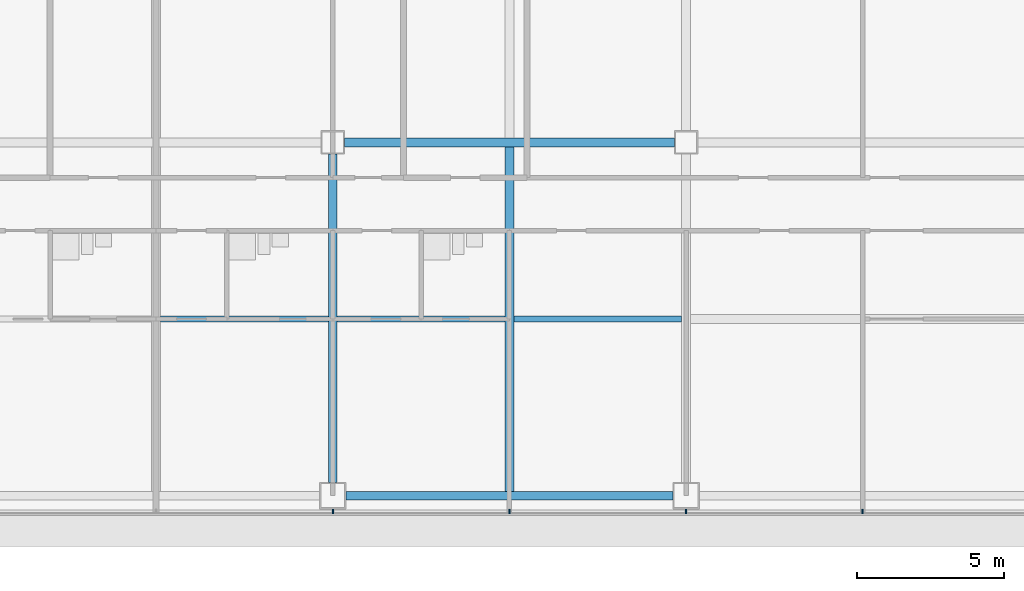
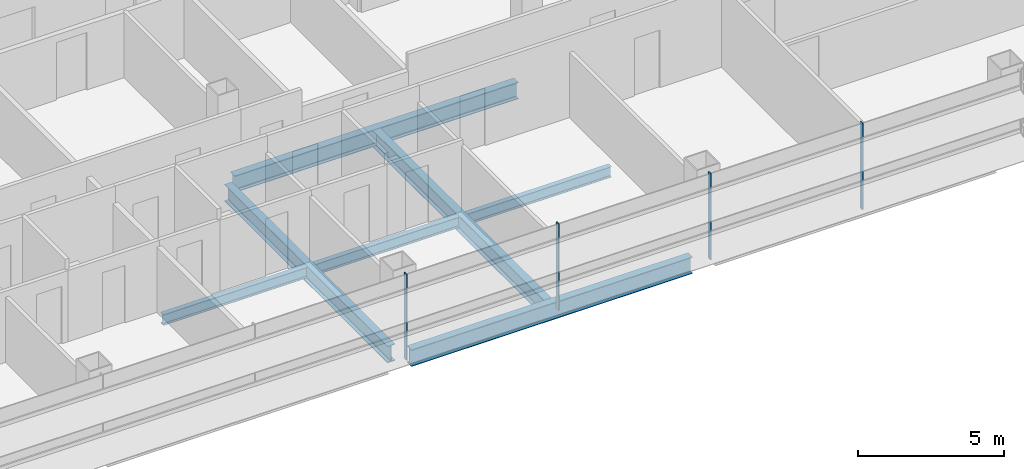
# One storey, part 8 of 26: 7 beams, 4 members, 1 element without a shape of its own.
"""IFC4 building model written with IfcOpenShell, lengths in metres."""

from ifc_helpers import new_model, si_unit, direction, frame, origin, origin_2d, place, context, subcontext, project, spatial, rectangle, i_section, extrude, material, material_profile, profile_set, type_object, element, aggregate, save


model = new_model("IFC4")

# Units and contexts
model_context = context("Model", 3, precision=1e-05, world=origin(), true_north=direction((0.0, 1.0)))
body_context = subcontext(model_context, "Body", "Model", "MODEL_VIEW")
ifc_project = project(units=[si_unit("LENGTHUNIT", "METRE"), si_unit("AREAUNIT", "SQUARE_METRE"), si_unit("VOLUMEUNIT", "CUBIC_METRE"), si_unit("PLANEANGLEUNIT", "RADIAN"), si_unit("MASSUNIT", "GRAM", prefix="KILO")], contexts=[model_context])

# Site, building, storey
site_placement = place(None, origin())
site = spatial("IfcSite", under=ifc_project, at=site_placement, CompositionType="ELEMENT")
building_placement = place(site_placement, origin())
building = spatial("IfcBuilding", under=site, at=building_placement, Name="Sorahane Residences", CompositionType="ELEMENT")
storey_placement = place(building_placement, frame((0.0, 0.0, 64.199951171875)))
storey = spatial("IfcBuildingStorey", under=building, at=storey_placement, Name="L12", CompositionType="ELEMENT", Elevation=64.199951171875)

# Curtain wall, members
ifc_material_1 = material(Name="Dark low-e glass and black anodised aluminium", Category="aluminium")
curtain_wall_type = type_object("IfcCurtainWallType", Name="Curtain wall CW-1 Typical unitised wall", PredefinedType="NOTDEFINED", material=ifc_material_1)
curtain_wall_placement = place(storey_placement, origin())
curtain_wall = element("IfcCurtainWall", 1, at=curtain_wall_placement, inside=storey, type_object=curtain_wall_type, Name="CW-1 curtain wall L12 S1", PredefinedType="NOTDEFINED")
ifc_material_2 = material(Name="Black anodised aluminium", Category="aluminium")
ifc_material_profile_1 = material_profile(ifc_material_2, rectangle(XDim=0.159912109375, YDim=0.050048828125, at=origin_2d()), Name="Curtain wall mullion CW-1 black anodised aluminium 50x160")
ifc_profile_set_1 = profile_set([ifc_material_profile_1], Name="Black anodised aluminium")
member_type = type_object("IfcMemberType", Name="Curtain wall mullion CW-1 black anodised aluminium 50x160", PredefinedType="MULLION", material=ifc_profile_set_1)
member_1_placement = place(storey_placement, frame((36.0, -0.5400390625, -0.179931640625), z_axis=(0.0, 0.0, 1.0), x_axis=(0.0, -1.0, 0.0)))
member_1 = element("IfcMember", 2, at=member_1_placement, type_object=member_type, Name="CW-1 mullion L12 S1.6", PredefinedType="MULLION", context=body_context, shape_type="SweptSolid", body=[
    extrude(rectangle(XDim=0.159912109375, YDim=0.050048828125, at=origin_2d()), origin(), (0.0, 0.0, 1.0), 3.60009765625),
])
member_2_placement = place(storey_placement, frame((42.0, -0.5400390625, -0.179931640625), z_axis=(0.0, 0.0, 1.0), x_axis=(0.0, -1.0, 0.0)))
member_2 = element("IfcMember", 3, at=member_2_placement, type_object=member_type, Name="CW-1 mullion L12 S1.7", PredefinedType="MULLION", context=body_context, shape_type="SweptSolid", body=[
    extrude(rectangle(XDim=0.159912109375, YDim=0.050048828125, at=origin_2d()), origin(), (0.0, 0.0, 1.0), 3.60009765625),
])
member_3_placement = place(storey_placement, frame((48.0, -0.5400390625, -0.179931640625), z_axis=(0.0, 0.0, 1.0), x_axis=(0.0, -1.0, 0.0)))
member_3 = element("IfcMember", 4, at=member_3_placement, type_object=member_type, Name="CW-1 mullion L12 S1.8", PredefinedType="MULLION", context=body_context, shape_type="SweptSolid", body=[
    extrude(rectangle(XDim=0.159912109375, YDim=0.050048828125, at=origin_2d()), origin(), (0.0, 0.0, 1.0), 3.60009765625),
])
member_4_placement = place(storey_placement, frame((54.0, -0.5400390625, -0.179931640625), z_axis=(0.0, 0.0, 1.0), x_axis=(0.0, -1.0, 0.0)))
member_4 = element("IfcMember", 5, at=member_4_placement, type_object=member_type, Name="CW-1 mullion L12 S1.9", PredefinedType="MULLION", context=body_context, shape_type="SweptSolid", body=[
    extrude(rectangle(XDim=0.159912109375, YDim=0.050048828125, at=origin_2d()), origin(), (0.0, 0.0, 1.0), 3.60009765625),
])
aggregate(curtain_wall, [member_1, member_2, member_3, member_4])

# Beams
ifc_material_3 = material(Name="Steel Q355B", Category="steel")
ifc_material_profile_2 = material_profile(ifc_material_3, i_section(OverallWidth=0.199951171875, OverallDepth=0.449951171875, WebThickness=0.009033203125, FlangeThickness=0.013916015625, FilletRadius=0.02001953125, at=origin_2d()), Name="HN 450x200x9x14")
ifc_profile_set_2 = profile_set([ifc_material_profile_2], Name="Steel Q355B")
beam_type_1 = type_object("IfcBeamType", Name="Steel floor beam HN 450x200x9x14 Q355B", PredefinedType="BEAM", material=ifc_profile_set_2)
for number, where, z_axis, x_axis, name in (
    (6, (30.14990234375, 6.0, -0.405029296875), (1.0, 0.0, 0.0), (0.0, 1.0, 0.0), "Beam L12 066"),
    (7, (36.14990234375, 6.0, -0.405029296875), (1.0, 0.0, 0.0), (0.0, 1.0, 0.0), "Beam L12 067"),
    (8, (42.14990234375, 6.0, -0.405029296875), (1.0, 0.0, 0.0), (0.0, 1.0, 0.0), "Beam L12 068"),
):
    element("IfcBeam", number, at=place(storey_placement, frame(where, z_axis=z_axis, x_axis=x_axis)), inside=storey, type_object=beam_type_1, Name=name, PredefinedType="BEAM", context=body_context, shape_type="SweptSolid", body=[
        extrude(i_section(OverallWidth=0.199951171875, OverallDepth=0.449951171875, WebThickness=0.009033203125, FlangeThickness=0.013916015625, FilletRadius=0.02001953125, at=origin_2d()), origin(), (0.0, 0.0, 1.0), 5.7001953125),
    ])
ifc_material_4 = material(Name="Steel Q355B", Category="steel")
ifc_material_profile_3 = material_profile(ifc_material_4, i_section(OverallWidth=0.300048828125, OverallDepth=0.699951171875, WebThickness=0.012939453125, FlangeThickness=0.02392578125, FilletRadius=0.028076171875, at=origin_2d()), Name="HN 700x300x13x24")
ifc_profile_set_3 = profile_set([ifc_material_profile_3], Name="Steel Q355B")
beam_type_2 = type_object("IfcBeamType", Name="Steel floor beam HN 700x300x13x24 Q355B", PredefinedType="BEAM", material=ifc_profile_set_3)
beam_1_placement = place(storey_placement, frame((36.449951171875, 0.0, -0.530029296875), z_axis=(1.0, 0.0, 0.0), x_axis=(0.0, 1.0, 0.0)))
element("IfcBeam", 9, at=beam_1_placement, inside=storey, type_object=beam_type_2, Name="Beam L12 003", PredefinedType="BEAM", context=body_context, shape_type="SweptSolid", body=[
    extrude(i_section(OverallWidth=0.300048828125, OverallDepth=0.699951171875, WebThickness=0.012939453125, FlangeThickness=0.02392578125, FilletRadius=0.028076171875, at=origin_2d()), origin(), (0.0, 0.0, 1.0), 11.10009765625),
])
beam_2_placement = place(storey_placement, frame((36.39990234375, 12.0, -0.530029296875), z_axis=(1.0, 0.0, 0.0), x_axis=(0.0, 1.0, 0.0)))
element("IfcBeam", 10, at=beam_2_placement, inside=storey, type_object=beam_type_2, Name="Beam L12 008", PredefinedType="BEAM", context=body_context, shape_type="SweptSolid", body=[
    extrude(i_section(OverallWidth=0.300048828125, OverallDepth=0.699951171875, WebThickness=0.012939453125, FlangeThickness=0.02392578125, FilletRadius=0.028076171875, at=origin_2d()), origin(), (0.0, 0.0, 1.0), 11.2001953125),
])
beam_3_placement = place(storey_placement, frame((36.0, 0.449951171875, -0.530029296875), z_axis=(0.0, 1.0, 0.0), x_axis=(-1.0, 0.0, 0.0)))
element("IfcBeam", 11, at=beam_3_placement, inside=storey, type_object=beam_type_2, Name="Beam L12 043", PredefinedType="BEAM", context=body_context, shape_type="SweptSolid", body=[
    extrude(i_section(OverallWidth=0.300048828125, OverallDepth=0.699951171875, WebThickness=0.012939453125, FlangeThickness=0.02392578125, FilletRadius=0.028076171875, at=origin_2d()), origin(), (0.0, 0.0, 1.0), 11.150146484375),
])
beam_4_placement = place(storey_placement, frame((42.0, 0.14990234375, -0.530029296875), z_axis=(0.0, 1.0, 0.0), x_axis=(-1.0, 0.0, 0.0)))
element("IfcBeam", 12, at=beam_4_placement, inside=storey, type_object=beam_type_2, Name="Beam L12 045", PredefinedType="BEAM", context=body_context, shape_type="SweptSolid", body=[
    extrude(i_section(OverallWidth=0.300048828125, OverallDepth=0.699951171875, WebThickness=0.012939453125, FlangeThickness=0.02392578125, FilletRadius=0.028076171875, at=origin_2d()), origin(), (0.0, 0.0, 1.0), 11.7001953125),
])

save(model, "model.ifc")
